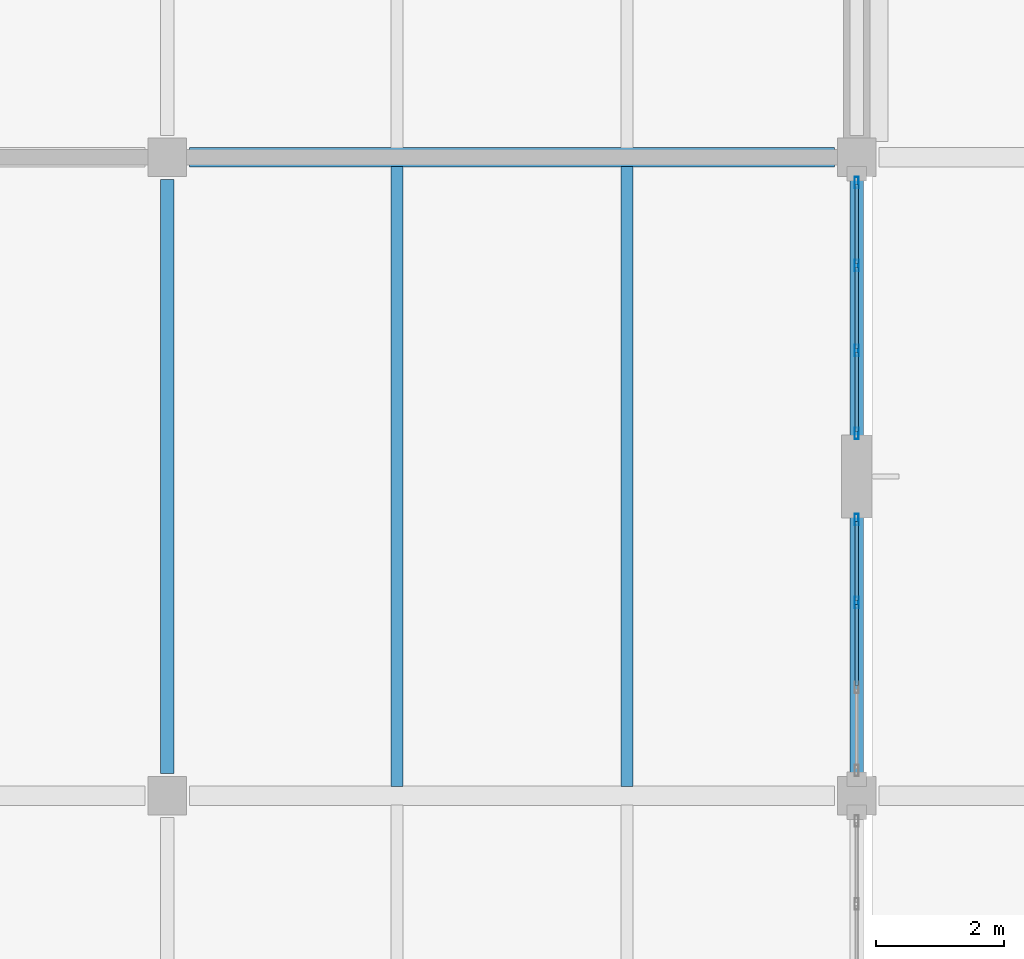
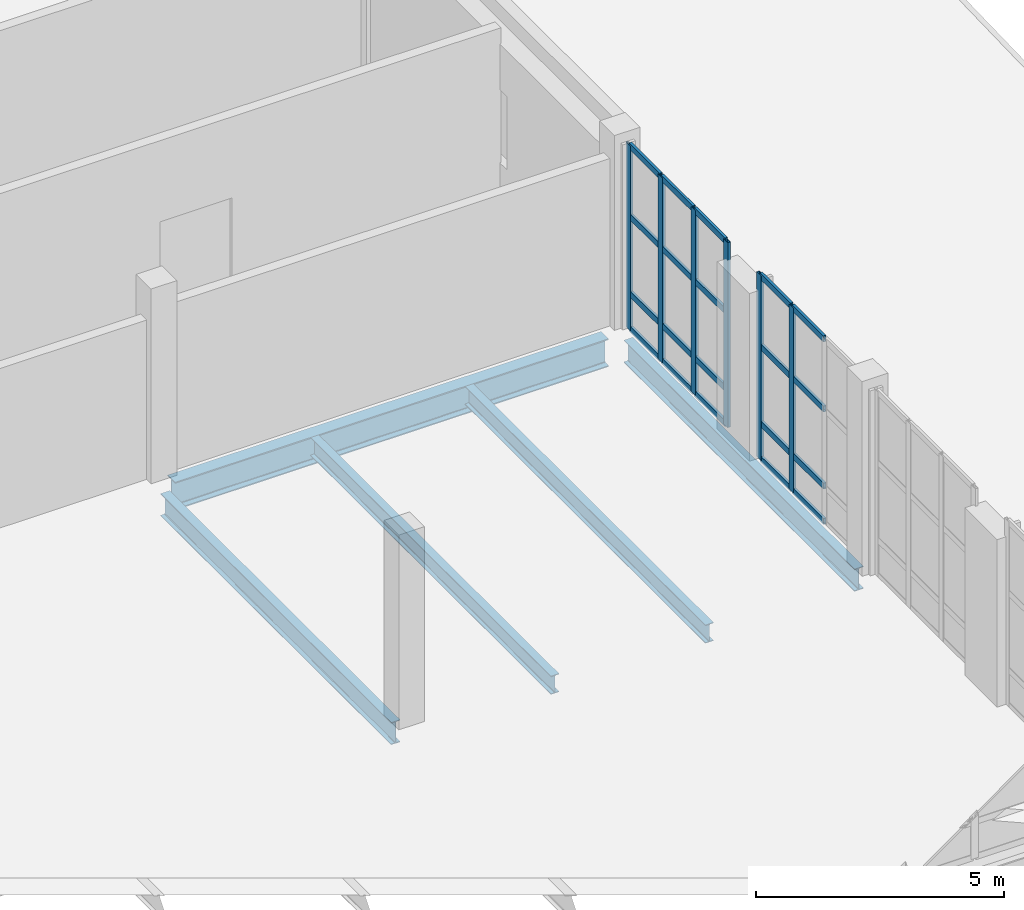
# One storey, part 60 of 100: 26 members, 5 beams, 2 elements without a shape of their own.
"""IFC4 building model written with IfcOpenShell, lengths in metres."""

from ifc_helpers import new_model, si_unit, direction, frame, origin, origin_2d, place, context, subcontext, project, spatial, hollow_rectangle, i_section, extrude, material, layer, layer_set, material_profile, profile_set, type_object, element, aggregate, save


model = new_model("IFC4")

# Units and contexts
model_context = context("Model", 3, precision=1e-05, world=origin(), true_north=direction((0.0, 1.0)))
body_context = subcontext(model_context, "Body", "Model", "MODEL_VIEW")
ifc_project = project(units=[si_unit("LENGTHUNIT", "METRE"), si_unit("AREAUNIT", "SQUARE_METRE"), si_unit("VOLUMEUNIT", "CUBIC_METRE"), si_unit("PLANEANGLEUNIT", "RADIAN"), si_unit("MASSUNIT", "GRAM", prefix="KILO")], contexts=[model_context])

# Site, building, storey
site_placement = place(None, origin())
site = spatial("IfcSite", under=ifc_project, at=site_placement, CompositionType="ELEMENT")
building_placement = place(site_placement, origin())
building = spatial("IfcBuilding", under=site, at=building_placement, Name="Tasgan Crest Museum", CompositionType="ELEMENT")
storey_placement = place(building_placement, frame((0.0, 0.0, 9.60009765625)))
storey = spatial("IfcBuildingStorey", under=building, at=storey_placement, Name="L02", CompositionType="ELEMENT", Elevation=9.60009765625)

# Beams
ifc_material_1 = material(Name="Steel S355K2", Category="steel")
ifc_material_profile_1 = material_profile(ifc_material_1, i_section(OverallWidth=0.300048828125, OverallDepth=0.68994140625, WebThickness=0.014404296875, FlangeThickness=0.027099609375, FilletRadius=0.027099609375, at=origin_2d()), Name="HEA 700")
ifc_profile_set_1 = profile_set([ifc_material_profile_1], Name="Steel S355K2")
beam_type_1 = type_object("IfcBeamType", Name="BM-G-HEA700", PredefinedType="BEAM", material=ifc_profile_set_1)
beam_placement = place(storey_placement, frame((129.946044921875, 40.0, -0.625), z_axis=(1.0, 0.0, 0.0), x_axis=(0.0, 1.0, 0.0)))
element("IfcBeam", 1, at=beam_placement, inside=storey, type_object=beam_type_1, Name="Girder L02 E 129.6-140.4", PredefinedType="BEAM", context=body_context, shape_type="SweptSolid", body=[
    extrude(i_section(OverallWidth=0.300048828125, OverallDepth=0.68994140625, WebThickness=0.014404296875, FlangeThickness=0.027099609375, FilletRadius=0.027099609375, at=origin_2d()), origin(), (0.0, 0.0, 1.0), 10.10791015625),
])
ifc_material_2 = material(Name="Steel S355J2", Category="steel")
ifc_material_profile_2 = material_profile(ifc_material_2, i_section(OverallWidth=0.2099609375, OverallDepth=0.550048828125, WebThickness=0.010986328125, FlangeThickness=0.01708984375, FilletRadius=0.02392578125, at=origin_2d()), Name="IPE 550")
ifc_profile_set_2 = profile_set([ifc_material_profile_2], Name="Steel S355J2")
beam_type_2 = type_object("IfcBeamType", Name="BM-G-IPE550", PredefinedType="BEAM", material=ifc_profile_set_2)
for number, where, z_axis, x_axis, name in (
    (2, (129.60009765625, 30.344970703125, -0.55517578125), (0.0, 1.0, 0.0), (-1.0, 0.0, 0.0), "Beam L02 13 30.0-40.0"),
    (3, (140.39990234375, 30.344970703125, -0.55517578125), (0.0, 1.0, 0.0), (-1.0, 0.0, 0.0), "Beam L02 14 30.0-40.0"),
):
    element("IfcBeam", number, at=place(storey_placement, frame(where, z_axis=z_axis, x_axis=x_axis)), inside=storey, type_object=beam_type_2, Name=name, PredefinedType="BEAM", context=body_context, shape_type="SweptSolid", body=[
        extrude(i_section(OverallWidth=0.2099609375, OverallDepth=0.550048828125, WebThickness=0.010986328125, FlangeThickness=0.01708984375, FilletRadius=0.02392578125, at=origin_2d()), origin(), (0.0, 0.0, 1.0), 9.31005859375),
    ])
ifc_material_3 = material(Name="Steel S355J2", Category="steel")
ifc_material_profile_3 = material_profile(ifc_material_3, i_section(OverallWidth=0.18994140625, OverallDepth=0.449951171875, WebThickness=0.009521484375, FlangeThickness=0.0146484375, FilletRadius=0.02099609375, at=origin_2d()), Name="IPE 450")
ifc_profile_set_3 = profile_set([ifc_material_profile_3], Name="Steel S355J2")
beam_type_3 = type_object("IfcBeamType", Name="BM-J-IPE450", PredefinedType="JOIST", material=ifc_profile_set_3)
for number, where, z_axis, x_axis, name in (
    (4, (133.199951171875, 30.14501953125, -0.505126953125), (0.0, 1.0, 0.0), (-1.0, 0.0, 0.0), "Secondary joist L02 X=133.2 Y=30.0-40.0"),
    (5, (136.800048828125, 30.14501953125, -0.505126953125), (0.0, 1.0, 0.0), (-1.0, 0.0, 0.0), "Secondary joist L02 X=136.8 Y=30.0-40.0"),
):
    element("IfcBeam", number, at=place(storey_placement, frame(where, z_axis=z_axis, x_axis=x_axis)), inside=storey, type_object=beam_type_3, Name=name, PredefinedType="JOIST", context=body_context, shape_type="SweptSolid", body=[
        extrude(i_section(OverallWidth=0.18994140625, OverallDepth=0.449951171875, WebThickness=0.009521484375, FlangeThickness=0.0146484375, FilletRadius=0.02099609375, at=origin_2d()), origin(), (0.0, 0.0, 1.0), 9.7099609375),
    ])

# Curtain wall, members
ifc_material_4 = material(Name="Triple-Glazed Aluminium Curtain Wall", Category="aluminium")
ifc_layer = layer(ifc_material_4, 0.179931640625, Name="CW-GAL-Y-48")
ifc_layer_set = layer_set([ifc_layer], Name="Triple-Glazed Aluminium Curtain Wall")
curtain_wall_type = type_object("IfcCurtainWallType", Name="CW-GAL-Y-48", PredefinedType="NOTDEFINED", material=ifc_layer_set)
curtain_wall_1_placement = place(storey_placement, origin())
curtain_wall_1 = element("IfcCurtainWall", 6, at=curtain_wall_1_placement, inside=storey, type_object=curtain_wall_type, Name="Curtain wall L02 073", PredefinedType="NOTDEFINED")
ifc_material_5 = material(Name="Anodised Aluminium", Category="aluminium")
ifc_material_profile_4 = material_profile(ifc_material_5, hollow_rectangle(XDim=0.06494140625, YDim=0.179931640625, WallThickness=0.0048828125, at=origin_2d()), Name="ALU MULLION 180x65x5")
ifc_profile_set_4 = profile_set([ifc_material_profile_4], Name="Anodised Aluminium")
member_type_1 = type_object("IfcMemberType", Name="CW-MULLION-180", PredefinedType="MULLION", material=ifc_profile_set_4)
member_1_placement = place(storey_placement, frame((140.39990234375, 33.02490234375, 0.0), z_axis=(0.0, 0.0, 1.0), x_axis=(-1.0, 0.0, 0.0)))
member_1 = element("IfcMember", 7, at=member_1_placement, type_object=member_type_1, Name="CW16 mullion 3", PredefinedType="MULLION", context=body_context, shape_type="SweptSolid", body=[
    extrude(hollow_rectangle(XDim=0.06494140625, YDim=0.179931640625, WallThickness=0.0048828125, at=origin_2d()), origin(), (0.0, 0.0, 1.0), 4.559814453125),
])
member_2_placement = place(storey_placement, frame((140.39990234375, 34.324951171875, 0.0), z_axis=(0.0, 0.0, 1.0), x_axis=(-1.0, 0.0, 0.0)))
member_2 = element("IfcMember", 8, at=member_2_placement, type_object=member_type_1, Name="CW16 mullion 4", PredefinedType="MULLION", context=body_context, shape_type="SweptSolid", body=[
    extrude(hollow_rectangle(XDim=0.06494140625, YDim=0.179931640625, WallThickness=0.0048828125, at=origin_2d()), origin(), (0.0, 0.0, 1.0), 4.559814453125),
])

curtain_wall_2_placement = place(storey_placement, origin())
curtain_wall_2 = element("IfcCurtainWall", 9, at=curtain_wall_2_placement, inside=storey, type_object=curtain_wall_type, Name="Curtain wall L02 074", PredefinedType="NOTDEFINED")
member_3_placement = place(storey_placement, frame((140.39990234375, 35.675048828125, 0.0), z_axis=(0.0, 0.0, 1.0), x_axis=(-1.0, 0.0, 0.0)))
member_3 = element("IfcMember", 10, at=member_3_placement, type_object=member_type_1, Name="CW16 mullion 1", PredefinedType="MULLION", context=body_context, shape_type="SweptSolid", body=[
    extrude(hollow_rectangle(XDim=0.06494140625, YDim=0.179931640625, WallThickness=0.0048828125, at=origin_2d()), origin(), (0.0, 0.0, 1.0), 4.559814453125),
])
member_4_placement = place(storey_placement, frame((140.39990234375, 36.97509765625, 0.0), z_axis=(0.0, 0.0, 1.0), x_axis=(-1.0, 0.0, 0.0)))
member_4 = element("IfcMember", 11, at=member_4_placement, type_object=member_type_1, Name="CW16 mullion 2", PredefinedType="MULLION", context=body_context, shape_type="SweptSolid", body=[
    extrude(hollow_rectangle(XDim=0.06494140625, YDim=0.179931640625, WallThickness=0.0048828125, at=origin_2d()), origin(), (0.0, 0.0, 1.0), 4.559814453125),
])
member_5_placement = place(storey_placement, frame((140.39990234375, 38.304931640625, 0.0), z_axis=(0.0, 0.0, 1.0), x_axis=(-1.0, 0.0, 0.0)))
member_5 = element("IfcMember", 12, at=member_5_placement, type_object=member_type_1, Name="CW16 mullion 3", PredefinedType="MULLION", context=body_context, shape_type="SweptSolid", body=[
    extrude(hollow_rectangle(XDim=0.06494140625, YDim=0.179931640625, WallThickness=0.0048828125, at=origin_2d()), origin(), (0.0, 0.0, 1.0), 4.559814453125),
])
member_6_placement = place(storey_placement, frame((140.39990234375, 39.60498046875, 0.0), z_axis=(0.0, 0.0, 1.0), x_axis=(-1.0, 0.0, 0.0)))
member_6 = element("IfcMember", 13, at=member_6_placement, type_object=member_type_1, Name="CW16 mullion 4", PredefinedType="MULLION", context=body_context, shape_type="SweptSolid", body=[
    extrude(hollow_rectangle(XDim=0.06494140625, YDim=0.179931640625, WallThickness=0.0048828125, at=origin_2d()), origin(), (0.0, 0.0, 1.0), 4.559814453125),
])

# Member
ifc_material_6 = material(Name="Anodised Aluminium", Category="aluminium")
ifc_material_profile_5 = material_profile(ifc_material_6, hollow_rectangle(XDim=0.06005859375, YDim=0.14990234375, WallThickness=0.0048828125, at=origin_2d()), Name="ALU TRANSOM 150x60x5")
ifc_profile_set_5 = profile_set([ifc_material_profile_5], Name="Anodised Aluminium")
member_type_2 = type_object("IfcMemberType", Name="CW-TRANSOM-150", PredefinedType="USERDEFINED", material=ifc_profile_set_5)
member_7_placement = place(storey_placement, frame((140.39990234375, 31.72509765625, 0.02978515625), z_axis=(0.0, 1.0, 0.0), x_axis=(-1.0, 0.0, 0.0)))
member_7 = element("IfcMember", 14, at=member_7_placement, type_object=member_type_2, Name="CW16 transom 2.1", ObjectType="TRANSOM", PredefinedType="USERDEFINED", context=body_context, shape_type="SweptSolid", body=[
    extrude(hollow_rectangle(XDim=0.06005859375, YDim=0.14990234375, WallThickness=0.0048828125, at=origin_2d()), origin(), (0.0, 0.0, 1.0), 1.27001953125),
])

member_8_placement = place(storey_placement, frame((140.39990234375, 31.72509765625, 0.89990234375), z_axis=(0.0, 1.0, 0.0), x_axis=(-1.0, 0.0, 0.0)))
member_8 = element("IfcMember", 15, at=member_8_placement, type_object=member_type_2, Name="CW16 transom 2.2", ObjectType="TRANSOM", PredefinedType="USERDEFINED", context=body_context, shape_type="SweptSolid", body=[
    extrude(hollow_rectangle(XDim=0.06005859375, YDim=0.14990234375, WallThickness=0.0048828125, at=origin_2d()), origin(), (0.0, 0.0, 1.0), 1.27001953125),
])

member_9_placement = place(storey_placement, frame((140.39990234375, 31.72509765625, 2.7998046875), z_axis=(0.0, 1.0, 0.0), x_axis=(-1.0, 0.0, 0.0)))
member_9 = element("IfcMember", 16, at=member_9_placement, type_object=member_type_2, Name="CW16 transom 2.3", ObjectType="TRANSOM", PredefinedType="USERDEFINED", context=body_context, shape_type="SweptSolid", body=[
    extrude(hollow_rectangle(XDim=0.06005859375, YDim=0.14990234375, WallThickness=0.0048828125, at=origin_2d()), origin(), (0.0, 0.0, 1.0), 1.27001953125),
])

member_10_placement = place(storey_placement, frame((140.39990234375, 31.72509765625, 4.52978515625), z_axis=(0.0, 1.0, 0.0), x_axis=(-1.0, 0.0, 0.0)))
member_10 = element("IfcMember", 17, at=member_10_placement, type_object=member_type_2, Name="CW16 transom 2.4", ObjectType="TRANSOM", PredefinedType="USERDEFINED", context=body_context, shape_type="SweptSolid", body=[
    extrude(hollow_rectangle(XDim=0.06005859375, YDim=0.14990234375, WallThickness=0.0048828125, at=origin_2d()), origin(), (0.0, 0.0, 1.0), 1.27001953125),
])

member_11_placement = place(storey_placement, frame((140.39990234375, 33.054931640625, 0.02978515625), z_axis=(0.0, 1.0, 0.0), x_axis=(-1.0, 0.0, 0.0)))
member_11 = element("IfcMember", 18, at=member_11_placement, type_object=member_type_2, Name="CW16 transom 3.1", ObjectType="TRANSOM", PredefinedType="USERDEFINED", context=body_context, shape_type="SweptSolid", body=[
    extrude(hollow_rectangle(XDim=0.06005859375, YDim=0.14990234375, WallThickness=0.0048828125, at=origin_2d()), origin(), (0.0, 0.0, 1.0), 1.239990234375),
])

member_12_placement = place(storey_placement, frame((140.39990234375, 33.054931640625, 0.89990234375), z_axis=(0.0, 1.0, 0.0), x_axis=(-1.0, 0.0, 0.0)))
member_12 = element("IfcMember", 19, at=member_12_placement, type_object=member_type_2, Name="CW16 transom 3.2", ObjectType="TRANSOM", PredefinedType="USERDEFINED", context=body_context, shape_type="SweptSolid", body=[
    extrude(hollow_rectangle(XDim=0.06005859375, YDim=0.14990234375, WallThickness=0.0048828125, at=origin_2d()), origin(), (0.0, 0.0, 1.0), 1.239990234375),
])

member_13_placement = place(storey_placement, frame((140.39990234375, 33.054931640625, 2.7998046875), z_axis=(0.0, 1.0, 0.0), x_axis=(-1.0, 0.0, 0.0)))
member_13 = element("IfcMember", 20, at=member_13_placement, type_object=member_type_2, Name="CW16 transom 3.3", ObjectType="TRANSOM", PredefinedType="USERDEFINED", context=body_context, shape_type="SweptSolid", body=[
    extrude(hollow_rectangle(XDim=0.06005859375, YDim=0.14990234375, WallThickness=0.0048828125, at=origin_2d()), origin(), (0.0, 0.0, 1.0), 1.239990234375),
])

member_14_placement = place(storey_placement, frame((140.39990234375, 33.054931640625, 4.52978515625), z_axis=(0.0, 1.0, 0.0), x_axis=(-1.0, 0.0, 0.0)))
member_14 = element("IfcMember", 21, at=member_14_placement, type_object=member_type_2, Name="CW16 transom 3.4", ObjectType="TRANSOM", PredefinedType="USERDEFINED", context=body_context, shape_type="SweptSolid", body=[
    extrude(hollow_rectangle(XDim=0.06005859375, YDim=0.14990234375, WallThickness=0.0048828125, at=origin_2d()), origin(), (0.0, 0.0, 1.0), 1.239990234375),
])

aggregate(curtain_wall_1, [member_1, member_2, member_7, member_8, member_9, member_10, member_11, member_12, member_13, member_14])

member_15_placement = place(storey_placement, frame((140.39990234375, 35.705078125, 0.02978515625), z_axis=(0.0, 1.0, 0.0), x_axis=(-1.0, 0.0, 0.0)))
member_15 = element("IfcMember", 22, at=member_15_placement, type_object=member_type_2, Name="CW16 transom 1.1", ObjectType="TRANSOM", PredefinedType="USERDEFINED", context=body_context, shape_type="SweptSolid", body=[
    extrude(hollow_rectangle(XDim=0.06005859375, YDim=0.14990234375, WallThickness=0.0048828125, at=origin_2d()), origin(), (0.0, 0.0, 1.0), 1.239990234375),
])

member_16_placement = place(storey_placement, frame((140.39990234375, 35.705078125, 0.89990234375), z_axis=(0.0, 1.0, 0.0), x_axis=(-1.0, 0.0, 0.0)))
member_16 = element("IfcMember", 23, at=member_16_placement, type_object=member_type_2, Name="CW16 transom 1.2", ObjectType="TRANSOM", PredefinedType="USERDEFINED", context=body_context, shape_type="SweptSolid", body=[
    extrude(hollow_rectangle(XDim=0.06005859375, YDim=0.14990234375, WallThickness=0.0048828125, at=origin_2d()), origin(), (0.0, 0.0, 1.0), 1.239990234375),
])

member_17_placement = place(storey_placement, frame((140.39990234375, 35.705078125, 2.7998046875), z_axis=(0.0, 1.0, 0.0), x_axis=(-1.0, 0.0, 0.0)))
member_17 = element("IfcMember", 24, at=member_17_placement, type_object=member_type_2, Name="CW16 transom 1.3", ObjectType="TRANSOM", PredefinedType="USERDEFINED", context=body_context, shape_type="SweptSolid", body=[
    extrude(hollow_rectangle(XDim=0.06005859375, YDim=0.14990234375, WallThickness=0.0048828125, at=origin_2d()), origin(), (0.0, 0.0, 1.0), 1.239990234375),
])

member_18_placement = place(storey_placement, frame((140.39990234375, 35.705078125, 4.52978515625), z_axis=(0.0, 1.0, 0.0), x_axis=(-1.0, 0.0, 0.0)))
member_18 = element("IfcMember", 25, at=member_18_placement, type_object=member_type_2, Name="CW16 transom 1.4", ObjectType="TRANSOM", PredefinedType="USERDEFINED", context=body_context, shape_type="SweptSolid", body=[
    extrude(hollow_rectangle(XDim=0.06005859375, YDim=0.14990234375, WallThickness=0.0048828125, at=origin_2d()), origin(), (0.0, 0.0, 1.0), 1.239990234375),
])

member_19_placement = place(storey_placement, frame((140.39990234375, 37.0048828125, 0.02978515625), z_axis=(0.0, 1.0, 0.0), x_axis=(-1.0, 0.0, 0.0)))
member_19 = element("IfcMember", 26, at=member_19_placement, type_object=member_type_2, Name="CW16 transom 2.1", ObjectType="TRANSOM", PredefinedType="USERDEFINED", context=body_context, shape_type="SweptSolid", body=[
    extrude(hollow_rectangle(XDim=0.06005859375, YDim=0.14990234375, WallThickness=0.0048828125, at=origin_2d()), origin(), (0.0, 0.0, 1.0), 1.27001953125),
])

member_20_placement = place(storey_placement, frame((140.39990234375, 37.0048828125, 0.89990234375), z_axis=(0.0, 1.0, 0.0), x_axis=(-1.0, 0.0, 0.0)))
member_20 = element("IfcMember", 27, at=member_20_placement, type_object=member_type_2, Name="CW16 transom 2.2", ObjectType="TRANSOM", PredefinedType="USERDEFINED", context=body_context, shape_type="SweptSolid", body=[
    extrude(hollow_rectangle(XDim=0.06005859375, YDim=0.14990234375, WallThickness=0.0048828125, at=origin_2d()), origin(), (0.0, 0.0, 1.0), 1.27001953125),
])

member_21_placement = place(storey_placement, frame((140.39990234375, 37.0048828125, 2.7998046875), z_axis=(0.0, 1.0, 0.0), x_axis=(-1.0, 0.0, 0.0)))
member_21 = element("IfcMember", 28, at=member_21_placement, type_object=member_type_2, Name="CW16 transom 2.3", ObjectType="TRANSOM", PredefinedType="USERDEFINED", context=body_context, shape_type="SweptSolid", body=[
    extrude(hollow_rectangle(XDim=0.06005859375, YDim=0.14990234375, WallThickness=0.0048828125, at=origin_2d()), origin(), (0.0, 0.0, 1.0), 1.27001953125),
])

member_22_placement = place(storey_placement, frame((140.39990234375, 37.0048828125, 4.52978515625), z_axis=(0.0, 1.0, 0.0), x_axis=(-1.0, 0.0, 0.0)))
member_22 = element("IfcMember", 29, at=member_22_placement, type_object=member_type_2, Name="CW16 transom 2.4", ObjectType="TRANSOM", PredefinedType="USERDEFINED", context=body_context, shape_type="SweptSolid", body=[
    extrude(hollow_rectangle(XDim=0.06005859375, YDim=0.14990234375, WallThickness=0.0048828125, at=origin_2d()), origin(), (0.0, 0.0, 1.0), 1.27001953125),
])

member_23_placement = place(storey_placement, frame((140.39990234375, 38.3349609375, 0.02978515625), z_axis=(0.0, 1.0, 0.0), x_axis=(-1.0, 0.0, 0.0)))
member_23 = element("IfcMember", 30, at=member_23_placement, type_object=member_type_2, Name="CW16 transom 3.1", ObjectType="TRANSOM", PredefinedType="USERDEFINED", context=body_context, shape_type="SweptSolid", body=[
    extrude(hollow_rectangle(XDim=0.06005859375, YDim=0.14990234375, WallThickness=0.0048828125, at=origin_2d()), origin(), (0.0, 0.0, 1.0), 1.239990234375),
])

member_24_placement = place(storey_placement, frame((140.39990234375, 38.3349609375, 0.89990234375), z_axis=(0.0, 1.0, 0.0), x_axis=(-1.0, 0.0, 0.0)))
member_24 = element("IfcMember", 31, at=member_24_placement, type_object=member_type_2, Name="CW16 transom 3.2", ObjectType="TRANSOM", PredefinedType="USERDEFINED", context=body_context, shape_type="SweptSolid", body=[
    extrude(hollow_rectangle(XDim=0.06005859375, YDim=0.14990234375, WallThickness=0.0048828125, at=origin_2d()), origin(), (0.0, 0.0, 1.0), 1.239990234375),
])

member_25_placement = place(storey_placement, frame((140.39990234375, 38.3349609375, 2.7998046875), z_axis=(0.0, 1.0, 0.0), x_axis=(-1.0, 0.0, 0.0)))
member_25 = element("IfcMember", 32, at=member_25_placement, type_object=member_type_2, Name="CW16 transom 3.3", ObjectType="TRANSOM", PredefinedType="USERDEFINED", context=body_context, shape_type="SweptSolid", body=[
    extrude(hollow_rectangle(XDim=0.06005859375, YDim=0.14990234375, WallThickness=0.0048828125, at=origin_2d()), origin(), (0.0, 0.0, 1.0), 1.239990234375),
])

member_26_placement = place(storey_placement, frame((140.39990234375, 38.3349609375, 4.52978515625), z_axis=(0.0, 1.0, 0.0), x_axis=(-1.0, 0.0, 0.0)))
member_26 = element("IfcMember", 33, at=member_26_placement, type_object=member_type_2, Name="CW16 transom 3.4", ObjectType="TRANSOM", PredefinedType="USERDEFINED", context=body_context, shape_type="SweptSolid", body=[
    extrude(hollow_rectangle(XDim=0.06005859375, YDim=0.14990234375, WallThickness=0.0048828125, at=origin_2d()), origin(), (0.0, 0.0, 1.0), 1.239990234375),
])

aggregate(curtain_wall_2, [member_3, member_4, member_5, member_6, member_15, member_16, member_17, member_18, member_19, member_20, member_21, member_22, member_23, member_24, member_25, member_26])

save(model, "model.ifc")
